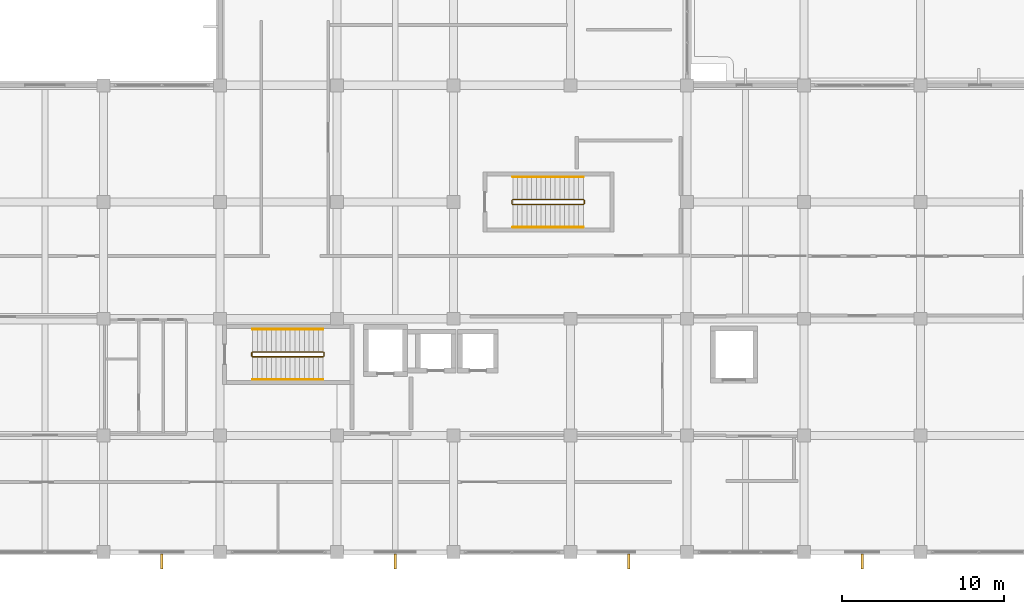
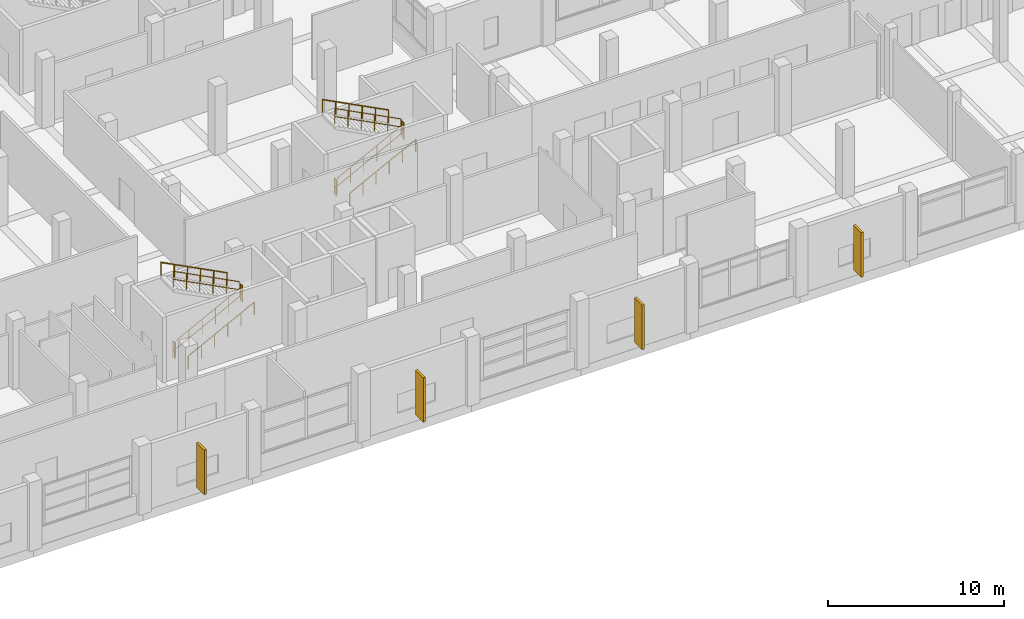
# One storey, part 135 of 140: 12 railings, 4 shading devices.
"""IFC4 building model written with IfcOpenShell, lengths in metres."""

from ifc_helpers import new_model, si_unit, direction, frame, origin, origin_2d, place, context, subcontext, project, spatial, rectangle, circle, extrude, material, type_object, element, save


model = new_model("IFC4")

# Units and contexts
model_context = context("Model", 3, precision=1e-05, world=origin(), true_north=direction((0.0, 1.0)))
body_context = subcontext(model_context, "Body", "Model", "MODEL_VIEW")
ifc_project = project(units=[si_unit("LENGTHUNIT", "METRE"), si_unit("AREAUNIT", "SQUARE_METRE"), si_unit("VOLUMEUNIT", "CUBIC_METRE"), si_unit("PLANEANGLEUNIT", "RADIAN"), si_unit("MASSUNIT", "GRAM", prefix="KILO")], contexts=[model_context])

# Site, building, storey
site_placement = place(None, origin())
site = spatial("IfcSite", under=ifc_project, at=site_placement, CompositionType="ELEMENT")
building_placement = place(site_placement, origin())
building = spatial("IfcBuilding", under=site, at=building_placement, Name="Seraya Terrace Polytechnic", CompositionType="ELEMENT")
storey_placement = place(building_placement, frame((0.0, 0.0, 9.60009765625)))
storey = spatial("IfcBuildingStorey", under=building, at=storey_placement, Name="L02", CompositionType="ELEMENT", Elevation=9.60009765625)

# Shading devices
ifc_material_1 = material(Name="Precast concrete C40/50", Category="concrete")
shading_device_type = type_object("IfcShadingDeviceType", Name="BS-F1", PredefinedType="JALOUSIE", material=ifc_material_1)
for number, where, z_axis, x_axis, name in (
    (1, (118.800048828125, -0.570068359375, 0.449951171875), (0.0, 0.0, 1.0), (0.0, -1.0, 0.0), "Precast concrete brise-soleil fin L02"),
    (2, (104.39990234375, -0.570068359375, 0.449951171875), (0.0, 0.0, 1.0), (0.0, -1.0, 0.0), "Precast concrete brise-soleil fin L02"),
    (3, (90.0, -0.570068359375, 0.449951171875), (0.0, 0.0, 1.0), (0.0, -1.0, 0.0), "Precast concrete brise-soleil fin L02"),
    (4, (75.60009765625, -0.570068359375, 0.449951171875), (0.0, 0.0, 1.0), (0.0, -1.0, 0.0), "Precast concrete brise-soleil fin L02"),
):
    element("IfcShadingDevice", number, at=place(storey_placement, frame(where, z_axis=z_axis, x_axis=x_axis)), inside=storey, type_object=shading_device_type, Name=name, PredefinedType="JALOUSIE", context=body_context, shape_type="SweptSolid", body=[
        extrude(rectangle(XDim=0.89990234375, YDim=0.14990234375, at=origin_2d()), origin(), (0.0, 0.0, 1.0), 3.10009765625),
    ])

# Railings
ifc_material_2 = material(Name="Steel S355J2", Category="steel")
railing_type_1 = type_object("IfcRailingType", Name="GR-02", PredefinedType="GUARDRAIL", material=ifc_material_2)
railing_1_placement = place(storey_placement, frame((81.199951171875, 12.050048828125, 0.14990234375)))
element("IfcRailing", 5, at=railing_1_placement, inside=storey, type_object=railing_type_1, Name="L02 ST-01 stair guard 1", PredefinedType="GUARDRAIL", context=body_context, shape_type="SweptSolid", body=[
    extrude(circle(Radius=0.02392578125, at=origin_2d()), frame((0.0, 0.0, 1.10595703125), z_axis=(0.888221851817, 0.0, 0.459414782038), x_axis=(0.0, 1.0, 0.0)), (0.0, 0.0, 1.0), 4.8974609375),
    extrude(circle(Radius=0.02392578125, at=origin_2d()), frame((0.0, 0.0, 0.550048828125), z_axis=(0.888221851817, 0.0, 0.459414782038), x_axis=(0.0, 1.0, 0.0)), (0.0, 0.0, 1.0), 4.8974609375),
    extrude(circle(Radius=0.02099609375, at=origin_2d()), origin(), (0.0, 0.0, 1.0), 1.081787109375),
    extrude(circle(Radius=0.02099609375, at=origin_2d()), frame((0.8701171875, 0.0, 0.449951171875)), (0.0, 0.0, 1.0), 1.081787109375),
    extrude(circle(Radius=0.02099609375, at=origin_2d()), frame((1.739990234375, 0.0, 0.89990234375)), (0.0, 0.0, 1.0), 1.081787109375),
    extrude(circle(Radius=0.02099609375, at=origin_2d()), frame((2.610107421875, 0.0, 1.35009765625)), (0.0, 0.0, 1.0), 1.081787109375),
    extrude(circle(Radius=0.02099609375, at=origin_2d()), frame((3.47998046875, 0.0, 1.800048828125)), (0.0, 0.0, 1.0), 1.081787109375),
    extrude(circle(Radius=0.02099609375, at=origin_2d()), frame((4.35009765625, 0.0, 2.25)), (0.0, 0.0, 1.0), 1.081787109375),
])
railing_2_placement = place(storey_placement, frame((85.60009765625, 12.10009765625, 2.39990234375)))
element("IfcRailing", 6, at=railing_2_placement, inside=storey, type_object=railing_type_1, Name="L02 ST-01 stair guard 2", PredefinedType="GUARDRAIL", context=body_context, shape_type="SweptSolid", body=[
    extrude(circle(Radius=0.02392578125, at=origin_2d()), frame((0.0, 0.0, 1.10595703125), z_axis=(0.0, 1.0, 0.0), x_axis=(-1.0, 0.0, 0.0)), (0.0, 0.0, 1.0), 0.199951171875),
    extrude(circle(Radius=0.02392578125, at=origin_2d()), frame((0.0, 0.0, 0.550048828125), z_axis=(0.0, 1.0, 0.0), x_axis=(-1.0, 0.0, 0.0)), (0.0, 0.0, 1.0), 0.199951171875),
    extrude(circle(Radius=0.02099609375, at=origin_2d()), origin(), (0.0, 0.0, 1.0), 1.081787109375),
    extrude(circle(Radius=0.02099609375, at=origin_2d()), frame((0.0, 0.199951171875, 0.0)), (0.0, 0.0, 1.0), 1.081787109375),
])
railing_3_placement = place(storey_placement, frame((85.550048828125, 12.35009765625, 2.5498046875)))
element("IfcRailing", 7, at=railing_3_placement, inside=storey, type_object=railing_type_1, Name="L02 ST-01 stair guard 3", PredefinedType="GUARDRAIL", context=body_context, shape_type="SweptSolid", body=[
    extrude(circle(Radius=0.02392578125, at=origin_2d()), frame((0.0, 0.0, 1.10595703125), z_axis=(-0.888221851817, 0.0, 0.459414782038), x_axis=(0.0, -1.0, 0.0)), (0.0, 0.0, 1.0), 4.8974609375),
    extrude(circle(Radius=0.02392578125, at=origin_2d()), frame((0.0, 0.0, 0.550048828125), z_axis=(-0.888221851817, 0.0, 0.459414782038), x_axis=(0.0, -1.0, 0.0)), (0.0, 0.0, 1.0), 4.8974609375),
    extrude(circle(Radius=0.02099609375, at=origin_2d()), origin(), (0.0, 0.0, 1.0), 1.081787109375),
    extrude(circle(Radius=0.02099609375, at=origin_2d()), frame((-0.8701171875, 0.0, 0.449951171875)), (0.0, 0.0, 1.0), 1.081787109375),
    extrude(circle(Radius=0.02099609375, at=origin_2d()), frame((-1.739990234375, 0.0, 0.89990234375)), (0.0, 0.0, 1.0), 1.081787109375),
    extrude(circle(Radius=0.02099609375, at=origin_2d()), frame((-2.610107421875, 0.0, 1.35009765625)), (0.0, 0.0, 1.0), 1.081787109375),
    extrude(circle(Radius=0.02099609375, at=origin_2d()), frame((-3.47998046875, 0.0, 1.800048828125)), (0.0, 0.0, 1.0), 1.081787109375),
    extrude(circle(Radius=0.02099609375, at=origin_2d()), frame((-4.35009765625, 0.0, 2.25)), (0.0, 0.0, 1.0), 1.081787109375),
])
railing_4_placement = place(storey_placement, frame((81.14990234375, 12.10009765625, 0.0)))
element("IfcRailing", 8, at=railing_4_placement, inside=storey, type_object=railing_type_1, Name="L02 ST-01 stair guard 4", PredefinedType="GUARDRAIL", context=body_context, shape_type="SweptSolid", body=[
    extrude(circle(Radius=0.02392578125, at=origin_2d()), frame((0.0, 0.0, 1.10595703125), z_axis=(0.0, 1.0, 0.0), x_axis=(-1.0, 0.0, 0.0)), (0.0, 0.0, 1.0), 0.199951171875),
    extrude(circle(Radius=0.02392578125, at=origin_2d()), frame((0.0, 0.0, 0.550048828125), z_axis=(0.0, 1.0, 0.0), x_axis=(-1.0, 0.0, 0.0)), (0.0, 0.0, 1.0), 0.199951171875),
    extrude(circle(Radius=0.02099609375, at=origin_2d()), origin(), (0.0, 0.0, 1.0), 1.081787109375),
    extrude(circle(Radius=0.02099609375, at=origin_2d()), frame((0.0, 0.199951171875, 0.0)), (0.0, 0.0, 1.0), 1.081787109375),
])
railing_5_placement = place(storey_placement, frame((97.25, 21.449951171875, 0.14990234375)))
element("IfcRailing", 9, at=railing_5_placement, inside=storey, type_object=railing_type_1, Name="L02 ST-05 stair guard 1", PredefinedType="GUARDRAIL", context=body_context, shape_type="SweptSolid", body=[
    extrude(circle(Radius=0.02392578125, at=origin_2d()), frame((0.0, 0.0, 1.10595703125), z_axis=(0.888221851817, 0.0, 0.459414782038), x_axis=(0.0, 1.0, 0.0)), (0.0, 0.0, 1.0), 4.8974609375),
    extrude(circle(Radius=0.02392578125, at=origin_2d()), frame((0.0, 0.0, 0.550048828125), z_axis=(0.888221851817, 0.0, 0.459414782038), x_axis=(0.0, 1.0, 0.0)), (0.0, 0.0, 1.0), 4.8974609375),
    extrude(circle(Radius=0.02099609375, at=origin_2d()), origin(), (0.0, 0.0, 1.0), 1.081787109375),
    extrude(circle(Radius=0.02099609375, at=origin_2d()), frame((0.8701171875, 0.0, 0.449951171875)), (0.0, 0.0, 1.0), 1.081787109375),
    extrude(circle(Radius=0.02099609375, at=origin_2d()), frame((1.739990234375, 0.0, 0.89990234375)), (0.0, 0.0, 1.0), 1.081787109375),
    extrude(circle(Radius=0.02099609375, at=origin_2d()), frame((2.610107421875, 0.0, 1.35009765625)), (0.0, 0.0, 1.0), 1.081787109375),
    extrude(circle(Radius=0.02099609375, at=origin_2d()), frame((3.47998046875, 0.0, 1.800048828125)), (0.0, 0.0, 1.0), 1.081787109375),
    extrude(circle(Radius=0.02099609375, at=origin_2d()), frame((4.35009765625, 0.0, 2.25)), (0.0, 0.0, 1.0), 1.081787109375),
])
railing_6_placement = place(storey_placement, frame((101.64990234375, 21.5, 2.39990234375)))
element("IfcRailing", 10, at=railing_6_placement, inside=storey, type_object=railing_type_1, Name="L02 ST-05 stair guard 2", PredefinedType="GUARDRAIL", context=body_context, shape_type="SweptSolid", body=[
    extrude(circle(Radius=0.02392578125, at=origin_2d()), frame((0.0, 0.0, 1.10595703125), z_axis=(0.0, 1.0, 0.0), x_axis=(-1.0, 0.0, 0.0)), (0.0, 0.0, 1.0), 0.199951171875),
    extrude(circle(Radius=0.02392578125, at=origin_2d()), frame((0.0, 0.0, 0.550048828125), z_axis=(0.0, 1.0, 0.0), x_axis=(-1.0, 0.0, 0.0)), (0.0, 0.0, 1.0), 0.199951171875),
    extrude(circle(Radius=0.02099609375, at=origin_2d()), origin(), (0.0, 0.0, 1.0), 1.081787109375),
    extrude(circle(Radius=0.02099609375, at=origin_2d()), frame((0.0, 0.199951171875, 0.0)), (0.0, 0.0, 1.0), 1.081787109375),
])
railing_7_placement = place(storey_placement, frame((101.60009765625, 21.75, 2.5498046875)))
element("IfcRailing", 11, at=railing_7_placement, inside=storey, type_object=railing_type_1, Name="L02 ST-05 stair guard 3", PredefinedType="GUARDRAIL", context=body_context, shape_type="SweptSolid", body=[
    extrude(circle(Radius=0.02392578125, at=origin_2d()), frame((0.0, 0.0, 1.10595703125), z_axis=(-0.888221851817, 0.0, 0.459414782038), x_axis=(0.0, -1.0, 0.0)), (0.0, 0.0, 1.0), 4.8974609375),
    extrude(circle(Radius=0.02392578125, at=origin_2d()), frame((0.0, 0.0, 0.550048828125), z_axis=(-0.888221851817, 0.0, 0.459414782038), x_axis=(0.0, -1.0, 0.0)), (0.0, 0.0, 1.0), 4.8974609375),
    extrude(circle(Radius=0.02099609375, at=origin_2d()), origin(), (0.0, 0.0, 1.0), 1.081787109375),
    extrude(circle(Radius=0.02099609375, at=origin_2d()), frame((-0.8701171875, 0.0, 0.449951171875)), (0.0, 0.0, 1.0), 1.081787109375),
    extrude(circle(Radius=0.02099609375, at=origin_2d()), frame((-1.739990234375, 0.0, 0.89990234375)), (0.0, 0.0, 1.0), 1.081787109375),
    extrude(circle(Radius=0.02099609375, at=origin_2d()), frame((-2.610107421875, 0.0, 1.35009765625)), (0.0, 0.0, 1.0), 1.081787109375),
    extrude(circle(Radius=0.02099609375, at=origin_2d()), frame((-3.47998046875, 0.0, 1.800048828125)), (0.0, 0.0, 1.0), 1.081787109375),
    extrude(circle(Radius=0.02099609375, at=origin_2d()), frame((-4.35009765625, 0.0, 2.25)), (0.0, 0.0, 1.0), 1.081787109375),
])
railing_8_placement = place(storey_placement, frame((97.199951171875, 21.5, 0.0)))
element("IfcRailing", 12, at=railing_8_placement, inside=storey, type_object=railing_type_1, Name="L02 ST-05 stair guard 4", PredefinedType="GUARDRAIL", context=body_context, shape_type="SweptSolid", body=[
    extrude(circle(Radius=0.02392578125, at=origin_2d()), frame((0.0, 0.0, 1.10595703125), z_axis=(0.0, 1.0, 0.0), x_axis=(-1.0, 0.0, 0.0)), (0.0, 0.0, 1.0), 0.199951171875),
    extrude(circle(Radius=0.02392578125, at=origin_2d()), frame((0.0, 0.0, 0.550048828125), z_axis=(0.0, 1.0, 0.0), x_axis=(-1.0, 0.0, 0.0)), (0.0, 0.0, 1.0), 0.199951171875),
    extrude(circle(Radius=0.02099609375, at=origin_2d()), origin(), (0.0, 0.0, 1.0), 1.081787109375),
    extrude(circle(Radius=0.02099609375, at=origin_2d()), frame((0.0, 0.199951171875, 0.0)), (0.0, 0.0, 1.0), 1.081787109375),
])
railing_type_2 = type_object("IfcRailingType", Name="HR-01", PredefinedType="HANDRAIL", material=ifc_material_2)
railing_9_placement = place(storey_placement, frame((81.199951171875, 10.64990234375, 0.14990234375)))
element("IfcRailing", 13, at=railing_9_placement, inside=storey, type_object=railing_type_2, Name="L02 ST-01 stair handrail 1", PredefinedType="HANDRAIL", context=body_context, shape_type="SweptSolid", body=[
    extrude(circle(Radius=0.02392578125, at=origin_2d()), frame((0.0, 0.0, 0.8759765625), z_axis=(0.888221851817, 0.0, 0.459414782038), x_axis=(0.0, 1.0, 0.0)), (0.0, 0.0, 1.0), 4.8974609375),
    extrude(circle(Radius=0.02099609375, at=origin_2d()), origin(), (0.0, 0.0, 1.0), 0.851806640625),
    extrude(circle(Radius=0.02099609375, at=origin_2d()), frame((0.8701171875, 0.0, 0.449951171875)), (0.0, 0.0, 1.0), 0.851806640625),
    extrude(circle(Radius=0.02099609375, at=origin_2d()), frame((1.739990234375, 0.0, 0.89990234375)), (0.0, 0.0, 1.0), 0.851806640625),
    extrude(circle(Radius=0.02099609375, at=origin_2d()), frame((2.610107421875, 0.0, 1.35009765625)), (0.0, 0.0, 1.0), 0.851806640625),
    extrude(circle(Radius=0.02099609375, at=origin_2d()), frame((3.47998046875, 0.0, 1.800048828125)), (0.0, 0.0, 1.0), 0.851806640625),
    extrude(circle(Radius=0.02099609375, at=origin_2d()), frame((4.35009765625, 0.0, 2.25)), (0.0, 0.0, 1.0), 0.851806640625),
])
railing_10_placement = place(storey_placement, frame((85.550048828125, 13.75, 2.5498046875)))
element("IfcRailing", 14, at=railing_10_placement, inside=storey, type_object=railing_type_2, Name="L02 ST-01 stair handrail 2", PredefinedType="HANDRAIL", context=body_context, shape_type="SweptSolid", body=[
    extrude(circle(Radius=0.02392578125, at=origin_2d()), frame((0.0, 0.0, 0.8759765625), z_axis=(-0.888221851817, 0.0, 0.459414782038), x_axis=(0.0, -1.0, 0.0)), (0.0, 0.0, 1.0), 4.8974609375),
    extrude(circle(Radius=0.02099609375, at=origin_2d()), origin(), (0.0, 0.0, 1.0), 0.851806640625),
    extrude(circle(Radius=0.02099609375, at=origin_2d()), frame((-0.8701171875, 0.0, 0.449951171875)), (0.0, 0.0, 1.0), 0.851806640625),
    extrude(circle(Radius=0.02099609375, at=origin_2d()), frame((-1.739990234375, 0.0, 0.89990234375)), (0.0, 0.0, 1.0), 0.851806640625),
    extrude(circle(Radius=0.02099609375, at=origin_2d()), frame((-2.610107421875, 0.0, 1.35009765625)), (0.0, 0.0, 1.0), 0.851806640625),
    extrude(circle(Radius=0.02099609375, at=origin_2d()), frame((-3.47998046875, 0.0, 1.800048828125)), (0.0, 0.0, 1.0), 0.851806640625),
    extrude(circle(Radius=0.02099609375, at=origin_2d()), frame((-4.35009765625, 0.0, 2.25)), (0.0, 0.0, 1.0), 0.851806640625),
])
railing_11_placement = place(storey_placement, frame((97.25, 20.050048828125, 0.14990234375)))
element("IfcRailing", 15, at=railing_11_placement, inside=storey, type_object=railing_type_2, Name="L02 ST-05 stair handrail 1", PredefinedType="HANDRAIL", context=body_context, shape_type="SweptSolid", body=[
    extrude(circle(Radius=0.02392578125, at=origin_2d()), frame((0.0, 0.0, 0.8759765625), z_axis=(0.888221851817, 0.0, 0.459414782038), x_axis=(0.0, 1.0, 0.0)), (0.0, 0.0, 1.0), 4.8974609375),
    extrude(circle(Radius=0.02099609375, at=origin_2d()), origin(), (0.0, 0.0, 1.0), 0.851806640625),
    extrude(circle(Radius=0.02099609375, at=origin_2d()), frame((0.8701171875, 0.0, 0.449951171875)), (0.0, 0.0, 1.0), 0.851806640625),
    extrude(circle(Radius=0.02099609375, at=origin_2d()), frame((1.739990234375, 0.0, 0.89990234375)), (0.0, 0.0, 1.0), 0.851806640625),
    extrude(circle(Radius=0.02099609375, at=origin_2d()), frame((2.610107421875, 0.0, 1.35009765625)), (0.0, 0.0, 1.0), 0.851806640625),
    extrude(circle(Radius=0.02099609375, at=origin_2d()), frame((3.47998046875, 0.0, 1.800048828125)), (0.0, 0.0, 1.0), 0.851806640625),
    extrude(circle(Radius=0.02099609375, at=origin_2d()), frame((4.35009765625, 0.0, 2.25)), (0.0, 0.0, 1.0), 0.851806640625),
])
railing_12_placement = place(storey_placement, frame((101.60009765625, 23.14990234375, 2.5498046875)))
element("IfcRailing", 16, at=railing_12_placement, inside=storey, type_object=railing_type_2, Name="L02 ST-05 stair handrail 2", PredefinedType="HANDRAIL", context=body_context, shape_type="SweptSolid", body=[
    extrude(circle(Radius=0.02392578125, at=origin_2d()), frame((0.0, 0.0, 0.8759765625), z_axis=(-0.888221851817, 0.0, 0.459414782038), x_axis=(0.0, -1.0, 0.0)), (0.0, 0.0, 1.0), 4.8974609375),
    extrude(circle(Radius=0.02099609375, at=origin_2d()), origin(), (0.0, 0.0, 1.0), 0.851806640625),
    extrude(circle(Radius=0.02099609375, at=origin_2d()), frame((-0.8701171875, 0.0, 0.449951171875)), (0.0, 0.0, 1.0), 0.851806640625),
    extrude(circle(Radius=0.02099609375, at=origin_2d()), frame((-1.739990234375, 0.0, 0.89990234375)), (0.0, 0.0, 1.0), 0.851806640625),
    extrude(circle(Radius=0.02099609375, at=origin_2d()), frame((-2.610107421875, 0.0, 1.35009765625)), (0.0, 0.0, 1.0), 0.851806640625),
    extrude(circle(Radius=0.02099609375, at=origin_2d()), frame((-3.47998046875, 0.0, 1.800048828125)), (0.0, 0.0, 1.0), 0.851806640625),
    extrude(circle(Radius=0.02099609375, at=origin_2d()), frame((-4.35009765625, 0.0, 2.25)), (0.0, 0.0, 1.0), 0.851806640625),
])

save(model, "model.ifc")
